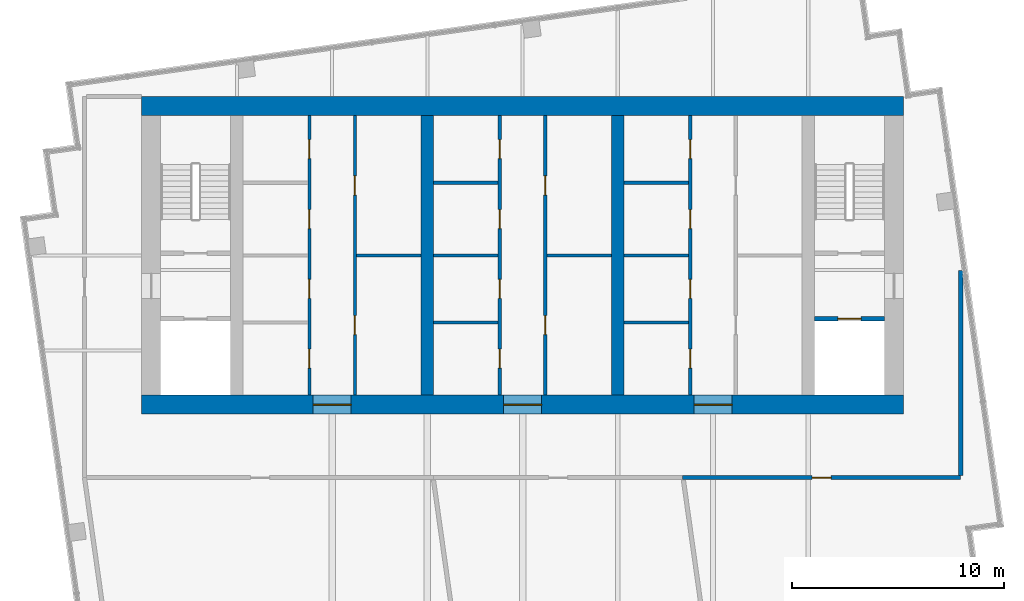
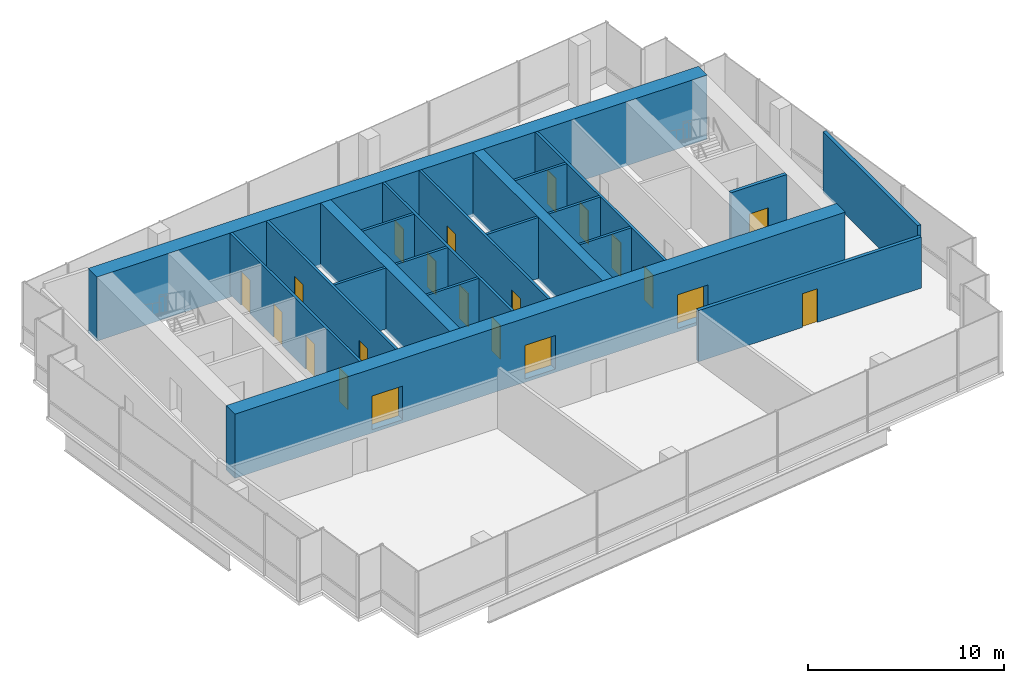
# One storey, part 8 of 10: 21 doors, 20 walls, 21 openings.
"""IFC4 building model written with IfcOpenShell, lengths in metres."""

from ifc_helpers import new_model, si_unit, direction, frame, frame_2d, origin, place, context, subcontext, project, spatial, rectangle, extrude, material, layer, layer_set, type_object, element, fill, save


model = new_model("IFC4")

# Units and contexts
model_context = context("Model", 3, precision=1e-05, world=origin(), true_north=direction((0.0, 1.0)))
body_context = subcontext(model_context, "Body", "Model", "MODEL_VIEW")
ifc_project = project(units=[si_unit("LENGTHUNIT", "METRE"), si_unit("AREAUNIT", "SQUARE_METRE"), si_unit("VOLUMEUNIT", "CUBIC_METRE"), si_unit("PLANEANGLEUNIT", "RADIAN"), si_unit("MASSUNIT", "GRAM", prefix="KILO")], contexts=[model_context])

# Site, building, storey
site_placement = place(None, origin())
site = spatial("IfcSite", under=ifc_project, at=site_placement, CompositionType="ELEMENT")
building_placement = place(site_placement, origin())
building = spatial("IfcBuilding", under=site, at=building_placement, Name="Rattan Terrace Tower", CompositionType="ELEMENT")
storey_placement = place(building_placement, frame((0.0, 0.0, 308.300048828125)))
storey = spatial("IfcBuildingStorey", under=building, at=storey_placement, Name="C05", CompositionType="ELEMENT", Elevation=308.300048828125)

# Wall, openings, doors
ifc_material_1 = material(Name="Gypsum board partition")
ifc_layer_1 = layer(ifc_material_1, 0.14990234375)
ifc_layer_set_1 = layer_set([ifc_layer_1], Name="Core partition 150")
wall_type_1 = type_object("IfcWallType", Name="Core partition 150", PredefinedType="PARTITIONING", material=ifc_layer_set_1)
wall_1_placement = place(storey_placement, frame((-10.074951171875, -6.60009765625, 0.0), z_axis=(0.0, 0.0, 1.0), x_axis=(0.0, 1.0, 0.0)))
wall_1 = element("IfcWall", 1, at=wall_1_placement, inside=storey, type_object=wall_type_1, Name="Core room wall", PredefinedType="PARTITIONING", context=body_context, shape_type="SweptSolid", body=[
    extrude(rectangle(XDim=13.2001953125, YDim=0.14990234375, at=frame_2d((6.60009765625, 0.0))), origin(), (0.0, 0.0, 1.0), 3.800048828125),
])
opening_1_placement = place(wall_1_placement, frame((1.26611328125, 0.0, 0.0)))
opening_1 = element("IfcOpeningElement", 2, at=opening_1_placement, cuts=wall_1, Name="Opening C05-D005", PredefinedType="OPENING", context=body_context, shape_type="SweptSolid", body=[
    extrude(rectangle(XDim=0.89990234375, YDim=2.10009765625, at=frame_2d((0.449951171875, 1.050048828125))), frame((0.0, 0.08544921875, 0.0), z_axis=(0.0, -1.0, 0.0), x_axis=(1.0, 0.0, 0.0)), (0.0, 0.0, 1.0), 0.1708984375),
])
opening_2_placement = place(wall_1_placement, frame((4.56591796875, 0.0, 0.0)))
opening_2 = element("IfcOpeningElement", 3, at=opening_2_placement, cuts=wall_1, Name="Opening C05-D006", PredefinedType="OPENING", context=body_context, shape_type="SweptSolid", body=[
    extrude(rectangle(XDim=0.89990234375, YDim=2.10009765625, at=frame_2d((0.449951171875, 1.050048828125))), frame((0.0, 0.08544921875, 0.0), z_axis=(0.0, -1.0, 0.0), x_axis=(1.0, 0.0, 0.0)), (0.0, 0.0, 1.0), 0.1708984375),
])
opening_3_placement = place(wall_1_placement, frame((7.865966796875, 0.0, 0.0)))
opening_3 = element("IfcOpeningElement", 4, at=opening_3_placement, cuts=wall_1, Name="Opening C05-D007", PredefinedType="OPENING", context=body_context, shape_type="SweptSolid", body=[
    extrude(rectangle(XDim=0.89990234375, YDim=2.10009765625, at=frame_2d((0.449951171875, 1.050048828125))), frame((0.0, 0.08544921875, 0.0), z_axis=(0.0, -1.0, 0.0), x_axis=(1.0, 0.0, 0.0)), (0.0, 0.0, 1.0), 0.1708984375),
])
opening_4_placement = place(wall_1_placement, frame((11.166015625, 0.0, 0.0)))
opening_4 = element("IfcOpeningElement", 5, at=opening_4_placement, cuts=wall_1, Name="Opening C05-D008", PredefinedType="OPENING", context=body_context, shape_type="SweptSolid", body=[
    extrude(rectangle(XDim=0.89990234375, YDim=2.10009765625, at=frame_2d((0.449951171875, 1.050048828125))), frame((0.0, 0.08544921875, 0.0), z_axis=(0.0, -1.0, 0.0), x_axis=(1.0, 0.0, 0.0)), (0.0, 0.0, 1.0), 0.1708984375),
])
ifc_material_2 = material(Name="Hollow-metal fire door leaf")
door_type_1 = type_object("IfcDoorType", Name="Core service room door 900", OperationType="NOTDEFINED", PredefinedType="DOOR", material=ifc_material_2)
door_1_placement = place(opening_1_placement, origin())
door_1 = element("IfcDoor", 6, at=door_1_placement, inside=storey, type_object=door_type_1, Name="Door C05-D005", OperationType="SINGLE_SWING_RIGHT", OverallHeight=2.10009765625, OverallWidth=0.89990234375, PredefinedType="DOOR", context=body_context, shape_type="SweptSolid", body=[
    extrude(rectangle(XDim=0.89990234375, YDim=2.10009765625, at=frame_2d((0.449951171875, 1.050048828125))), frame((0.0, 0.02490234375, 0.0), z_axis=(0.0, -1.0, 0.0), x_axis=(1.0, 0.0, 0.0)), (0.0, 0.0, 1.0), 0.050048828125),
])
fill(opening_1, door_1)
door_2_placement = place(opening_2_placement, origin())
door_2 = element("IfcDoor", 7, at=door_2_placement, inside=storey, type_object=door_type_1, Name="Door C05-D006", OperationType="SINGLE_SWING_LEFT", OverallHeight=2.10009765625, OverallWidth=0.89990234375, PredefinedType="DOOR", context=body_context, shape_type="SweptSolid", body=[
    extrude(rectangle(XDim=0.89990234375, YDim=2.10009765625, at=frame_2d((0.449951171875, 1.050048828125))), frame((0.0, 0.02490234375, 0.0), z_axis=(0.0, -1.0, 0.0), x_axis=(1.0, 0.0, 0.0)), (0.0, 0.0, 1.0), 0.050048828125),
])
fill(opening_2, door_2)
door_3_placement = place(opening_3_placement, origin())
door_3 = element("IfcDoor", 8, at=door_3_placement, inside=storey, type_object=door_type_1, Name="Door C05-D007", OperationType="SINGLE_SWING_RIGHT", OverallHeight=2.10009765625, OverallWidth=0.89990234375, PredefinedType="DOOR", context=body_context, shape_type="SweptSolid", body=[
    extrude(rectangle(XDim=0.89990234375, YDim=2.10009765625, at=frame_2d((0.449951171875, 1.050048828125))), frame((0.0, 0.02490234375, 0.0), z_axis=(0.0, -1.0, 0.0), x_axis=(1.0, 0.0, 0.0)), (0.0, 0.0, 1.0), 0.050048828125),
])
fill(opening_3, door_3)
door_4_placement = place(opening_4_placement, origin())
door_4 = element("IfcDoor", 9, at=door_4_placement, inside=storey, type_object=door_type_1, Name="Door C05-D008", OperationType="SINGLE_SWING_LEFT", OverallHeight=2.10009765625, OverallWidth=0.89990234375, PredefinedType="DOOR", context=body_context, shape_type="SweptSolid", body=[
    extrude(rectangle(XDim=0.89990234375, YDim=2.10009765625, at=frame_2d((0.449951171875, 1.050048828125))), frame((0.0, 0.02490234375, 0.0), z_axis=(0.0, -1.0, 0.0), x_axis=(1.0, 0.0, 0.0)), (0.0, 0.0, 1.0), 0.050048828125),
])
fill(opening_4, door_4)

wall_2_placement = place(storey_placement, frame((-7.925048828125, -6.60009765625, 0.0), z_axis=(0.0, 0.0, 1.0), x_axis=(0.0, 1.0, 0.0)))
wall_2 = element("IfcWall", 10, at=wall_2_placement, inside=storey, type_object=wall_type_1, Name="Core room wall", PredefinedType="PARTITIONING", context=body_context, shape_type="SweptSolid", body=[
    extrude(rectangle(XDim=13.2001953125, YDim=0.14990234375, at=frame_2d((6.60009765625, 0.0))), origin(), (0.0, 0.0, 1.0), 3.800048828125),
])
opening_5_placement = place(wall_2_placement, frame((2.85009765625, 0.0, 0.0)))
opening_5 = element("IfcOpeningElement", 11, at=opening_5_placement, cuts=wall_2, Name="Opening C05-D009", PredefinedType="OPENING", context=body_context, shape_type="SweptSolid", body=[
    extrude(rectangle(XDim=0.89990234375, YDim=2.10009765625, at=frame_2d((0.449951171875, 1.050048828125))), frame((0.0, 0.08544921875, 0.0), z_axis=(0.0, -1.0, 0.0), x_axis=(1.0, 0.0, 0.0)), (0.0, 0.0, 1.0), 0.1708984375),
])
opening_6_placement = place(wall_2_placement, frame((9.449951171875, 0.0, 0.0)))
opening_6 = element("IfcOpeningElement", 12, at=opening_6_placement, cuts=wall_2, Name="Opening C05-D010", PredefinedType="OPENING", context=body_context, shape_type="SweptSolid", body=[
    extrude(rectangle(XDim=0.89990234375, YDim=2.10009765625, at=frame_2d((0.449951171875, 1.050048828125))), frame((0.0, 0.08544921875, 0.0), z_axis=(0.0, -1.0, 0.0), x_axis=(1.0, 0.0, 0.0)), (0.0, 0.0, 1.0), 0.1708984375),
])
door_5_placement = place(opening_5_placement, origin())
door_5 = element("IfcDoor", 13, at=door_5_placement, inside=storey, type_object=door_type_1, Name="Door C05-D009", OperationType="SINGLE_SWING_RIGHT", OverallHeight=2.10009765625, OverallWidth=0.89990234375, PredefinedType="DOOR", context=body_context, shape_type="SweptSolid", body=[
    extrude(rectangle(XDim=0.89990234375, YDim=2.10009765625, at=frame_2d((0.449951171875, 1.050048828125))), frame((0.0, 0.02490234375, 0.0), z_axis=(0.0, -1.0, 0.0), x_axis=(1.0, 0.0, 0.0)), (0.0, 0.0, 1.0), 0.050048828125),
])
fill(opening_5, door_5)
door_6_placement = place(opening_6_placement, origin())
door_6 = element("IfcDoor", 14, at=door_6_placement, inside=storey, type_object=door_type_1, Name="Door C05-D010", OperationType="SINGLE_SWING_LEFT", OverallHeight=2.10009765625, OverallWidth=0.89990234375, PredefinedType="DOOR", context=body_context, shape_type="SweptSolid", body=[
    extrude(rectangle(XDim=0.89990234375, YDim=2.10009765625, at=frame_2d((0.449951171875, 1.050048828125))), frame((0.0, 0.02490234375, 0.0), z_axis=(0.0, -1.0, 0.0), x_axis=(1.0, 0.0, 0.0)), (0.0, 0.0, 1.0), 0.050048828125),
])
fill(opening_6, door_6)

# Wall
wall_3_placement = place(storey_placement, frame((-7.85009765625, 0.0, 0.0), z_axis=(0.0, 0.0, 1.0), x_axis=(1.0, 0.0, 0.0)))
element("IfcWall", 15, at=wall_3_placement, inside=storey, type_object=wall_type_1, Name="Core room wall", PredefinedType="PARTITIONING", context=body_context, shape_type="SweptSolid", body=[
    extrude(rectangle(XDim=3.050048828125, YDim=0.14990234375, at=frame_2d((1.52490234375, 0.0))), origin(), (0.0, 0.0, 1.0), 3.800048828125),
])

# Wall, openings, doors
wall_4_placement = place(storey_placement, frame((-1.074951171875, -6.60009765625, 0.0), z_axis=(0.0, 0.0, 1.0), x_axis=(0.0, 1.0, 0.0)))
wall_4 = element("IfcWall", 16, at=wall_4_placement, inside=storey, type_object=wall_type_1, Name="Core room wall", PredefinedType="PARTITIONING", context=body_context, shape_type="SweptSolid", body=[
    extrude(rectangle(XDim=13.2001953125, YDim=0.14990234375, at=frame_2d((6.60009765625, 0.0))), origin(), (0.0, 0.0, 1.0), 3.800048828125),
])
opening_7_placement = place(wall_4_placement, frame((1.26611328125, 0.0, 0.0)))
opening_7 = element("IfcOpeningElement", 17, at=opening_7_placement, cuts=wall_4, Name="Opening C05-D012", PredefinedType="OPENING", context=body_context, shape_type="SweptSolid", body=[
    extrude(rectangle(XDim=0.89990234375, YDim=2.10009765625, at=frame_2d((0.449951171875, 1.050048828125))), frame((0.0, 0.08544921875, 0.0), z_axis=(0.0, -1.0, 0.0), x_axis=(1.0, 0.0, 0.0)), (0.0, 0.0, 1.0), 0.1708984375),
])
opening_8_placement = place(wall_4_placement, frame((4.56591796875, 0.0, 0.0)))
opening_8 = element("IfcOpeningElement", 18, at=opening_8_placement, cuts=wall_4, Name="Opening C05-D013", PredefinedType="OPENING", context=body_context, shape_type="SweptSolid", body=[
    extrude(rectangle(XDim=0.89990234375, YDim=2.10009765625, at=frame_2d((0.449951171875, 1.050048828125))), frame((0.0, 0.08544921875, 0.0), z_axis=(0.0, -1.0, 0.0), x_axis=(1.0, 0.0, 0.0)), (0.0, 0.0, 1.0), 0.1708984375),
])
opening_9_placement = place(wall_4_placement, frame((7.865966796875, 0.0, 0.0)))
opening_9 = element("IfcOpeningElement", 19, at=opening_9_placement, cuts=wall_4, Name="Opening C05-D014", PredefinedType="OPENING", context=body_context, shape_type="SweptSolid", body=[
    extrude(rectangle(XDim=0.89990234375, YDim=2.10009765625, at=frame_2d((0.449951171875, 1.050048828125))), frame((0.0, 0.08544921875, 0.0), z_axis=(0.0, -1.0, 0.0), x_axis=(1.0, 0.0, 0.0)), (0.0, 0.0, 1.0), 0.1708984375),
])
opening_10_placement = place(wall_4_placement, frame((11.166015625, 0.0, 0.0)))
opening_10 = element("IfcOpeningElement", 20, at=opening_10_placement, cuts=wall_4, Name="Opening C05-D015", PredefinedType="OPENING", context=body_context, shape_type="SweptSolid", body=[
    extrude(rectangle(XDim=0.89990234375, YDim=2.10009765625, at=frame_2d((0.449951171875, 1.050048828125))), frame((0.0, 0.08544921875, 0.0), z_axis=(0.0, -1.0, 0.0), x_axis=(1.0, 0.0, 0.0)), (0.0, 0.0, 1.0), 0.1708984375),
])
door_7_placement = place(opening_7_placement, origin())
door_7 = element("IfcDoor", 21, at=door_7_placement, inside=storey, type_object=door_type_1, Name="Door C05-D012", OperationType="SINGLE_SWING_LEFT", OverallHeight=2.10009765625, OverallWidth=0.89990234375, PredefinedType="DOOR", context=body_context, shape_type="SweptSolid", body=[
    extrude(rectangle(XDim=0.89990234375, YDim=2.10009765625, at=frame_2d((0.449951171875, 1.050048828125))), frame((0.0, 0.02490234375, 0.0), z_axis=(0.0, -1.0, 0.0), x_axis=(1.0, 0.0, 0.0)), (0.0, 0.0, 1.0), 0.050048828125),
])
fill(opening_7, door_7)
door_8_placement = place(opening_8_placement, origin())
door_8 = element("IfcDoor", 22, at=door_8_placement, inside=storey, type_object=door_type_1, Name="Door C05-D013", OperationType="SINGLE_SWING_RIGHT", OverallHeight=2.10009765625, OverallWidth=0.89990234375, PredefinedType="DOOR", context=body_context, shape_type="SweptSolid", body=[
    extrude(rectangle(XDim=0.89990234375, YDim=2.10009765625, at=frame_2d((0.449951171875, 1.050048828125))), frame((0.0, 0.02490234375, 0.0), z_axis=(0.0, -1.0, 0.0), x_axis=(1.0, 0.0, 0.0)), (0.0, 0.0, 1.0), 0.050048828125),
])
fill(opening_8, door_8)
door_9_placement = place(opening_9_placement, origin())
door_9 = element("IfcDoor", 23, at=door_9_placement, inside=storey, type_object=door_type_1, Name="Door C05-D014", OperationType="SINGLE_SWING_LEFT", OverallHeight=2.10009765625, OverallWidth=0.89990234375, PredefinedType="DOOR", context=body_context, shape_type="SweptSolid", body=[
    extrude(rectangle(XDim=0.89990234375, YDim=2.10009765625, at=frame_2d((0.449951171875, 1.050048828125))), frame((0.0, 0.02490234375, 0.0), z_axis=(0.0, -1.0, 0.0), x_axis=(1.0, 0.0, 0.0)), (0.0, 0.0, 1.0), 0.050048828125),
])
fill(opening_9, door_9)
door_10_placement = place(opening_10_placement, origin())
door_10 = element("IfcDoor", 24, at=door_10_placement, inside=storey, type_object=door_type_1, Name="Door C05-D015", OperationType="SINGLE_SWING_RIGHT", OverallHeight=2.10009765625, OverallWidth=0.89990234375, PredefinedType="DOOR", context=body_context, shape_type="SweptSolid", body=[
    extrude(rectangle(XDim=0.89990234375, YDim=2.10009765625, at=frame_2d((0.449951171875, 1.050048828125))), frame((0.0, 0.02490234375, 0.0), z_axis=(0.0, -1.0, 0.0), x_axis=(1.0, 0.0, 0.0)), (0.0, 0.0, 1.0), 0.050048828125),
])
fill(opening_10, door_10)

# Walls
for number, where, z_axis, x_axis, name in (
    (25, (-4.199951171875, -3.16796875, 0.0), (0.0, 0.0, 1.0), (1.0, 0.0, 0.0), "Core room wall"),
    (26, (-4.199951171875, 0.0, 0.0), (0.0, 0.0, 1.0), (1.0, 0.0, 0.0), "Core room wall"),
    (27, (-4.199951171875, 3.431884765625, 0.0), (0.0, 0.0, 1.0), (1.0, 0.0, 0.0), "Core room wall"),
):
    element("IfcWall", number, at=place(storey_placement, frame(where, z_axis=z_axis, x_axis=x_axis)), inside=storey, type_object=wall_type_1, Name=name, PredefinedType="PARTITIONING", context=body_context, shape_type="SweptSolid", body=[
        extrude(rectangle(XDim=3.050048828125, YDim=0.14990234375, at=frame_2d((1.52490234375, 0.0))), origin(), (0.0, 0.0, 1.0), 3.800048828125),
    ])

# Wall, openings, doors
wall_5_placement = place(storey_placement, frame((1.074951171875, -6.60009765625, 0.0), z_axis=(0.0, 0.0, 1.0), x_axis=(0.0, 1.0, 0.0)))
wall_5 = element("IfcWall", 28, at=wall_5_placement, inside=storey, type_object=wall_type_1, Name="Core room wall", PredefinedType="PARTITIONING", context=body_context, shape_type="SweptSolid", body=[
    extrude(rectangle(XDim=13.2001953125, YDim=0.14990234375, at=frame_2d((6.60009765625, 0.0))), origin(), (0.0, 0.0, 1.0), 3.800048828125),
])
opening_11_placement = place(wall_5_placement, frame((2.85009765625, 0.0, 0.0)))
opening_11 = element("IfcOpeningElement", 29, at=opening_11_placement, cuts=wall_5, Name="Opening C05-D016", PredefinedType="OPENING", context=body_context, shape_type="SweptSolid", body=[
    extrude(rectangle(XDim=0.89990234375, YDim=2.10009765625, at=frame_2d((0.449951171875, 1.050048828125))), frame((0.0, 0.08544921875, 0.0), z_axis=(0.0, -1.0, 0.0), x_axis=(1.0, 0.0, 0.0)), (0.0, 0.0, 1.0), 0.1708984375),
])
opening_12_placement = place(wall_5_placement, frame((9.449951171875, 0.0, 0.0)))
opening_12 = element("IfcOpeningElement", 30, at=opening_12_placement, cuts=wall_5, Name="Opening C05-D017", PredefinedType="OPENING", context=body_context, shape_type="SweptSolid", body=[
    extrude(rectangle(XDim=0.89990234375, YDim=2.10009765625, at=frame_2d((0.449951171875, 1.050048828125))), frame((0.0, 0.08544921875, 0.0), z_axis=(0.0, -1.0, 0.0), x_axis=(1.0, 0.0, 0.0)), (0.0, 0.0, 1.0), 0.1708984375),
])
door_11_placement = place(opening_11_placement, origin())
door_11 = element("IfcDoor", 31, at=door_11_placement, inside=storey, type_object=door_type_1, Name="Door C05-D016", OperationType="SINGLE_SWING_LEFT", OverallHeight=2.10009765625, OverallWidth=0.89990234375, PredefinedType="DOOR", context=body_context, shape_type="SweptSolid", body=[
    extrude(rectangle(XDim=0.89990234375, YDim=2.10009765625, at=frame_2d((0.449951171875, 1.050048828125))), frame((0.0, 0.02490234375, 0.0), z_axis=(0.0, -1.0, 0.0), x_axis=(1.0, 0.0, 0.0)), (0.0, 0.0, 1.0), 0.050048828125),
])
fill(opening_11, door_11)
door_12_placement = place(opening_12_placement, origin())
door_12 = element("IfcDoor", 32, at=door_12_placement, inside=storey, type_object=door_type_1, Name="Door C05-D017", OperationType="SINGLE_SWING_RIGHT", OverallHeight=2.10009765625, OverallWidth=0.89990234375, PredefinedType="DOOR", context=body_context, shape_type="SweptSolid", body=[
    extrude(rectangle(XDim=0.89990234375, YDim=2.10009765625, at=frame_2d((0.449951171875, 1.050048828125))), frame((0.0, 0.02490234375, 0.0), z_axis=(0.0, -1.0, 0.0), x_axis=(1.0, 0.0, 0.0)), (0.0, 0.0, 1.0), 0.050048828125),
])
fill(opening_12, door_12)

# Wall
wall_6_placement = place(storey_placement, frame((1.14990234375, 0.0, 0.0), z_axis=(0.0, 0.0, 1.0), x_axis=(1.0, 0.0, 0.0)))
element("IfcWall", 33, at=wall_6_placement, inside=storey, type_object=wall_type_1, Name="Core room wall", PredefinedType="PARTITIONING", context=body_context, shape_type="SweptSolid", body=[
    extrude(rectangle(XDim=3.050048828125, YDim=0.14990234375, at=frame_2d((1.52490234375, 0.0))), origin(), (0.0, 0.0, 1.0), 3.800048828125),
])

# Wall, openings, doors
wall_7_placement = place(storey_placement, frame((7.925048828125, -6.60009765625, 0.0), z_axis=(0.0, 0.0, 1.0), x_axis=(0.0, 1.0, 0.0)))
wall_7 = element("IfcWall", 34, at=wall_7_placement, inside=storey, type_object=wall_type_1, Name="Core room wall", PredefinedType="PARTITIONING", context=body_context, shape_type="SweptSolid", body=[
    extrude(rectangle(XDim=13.2001953125, YDim=0.14990234375, at=frame_2d((6.60009765625, 0.0))), origin(), (0.0, 0.0, 1.0), 3.800048828125),
])
opening_13_placement = place(wall_7_placement, frame((1.26611328125, 0.0, 0.0)))
opening_13 = element("IfcOpeningElement", 35, at=opening_13_placement, cuts=wall_7, Name="Opening C05-D019", PredefinedType="OPENING", context=body_context, shape_type="SweptSolid", body=[
    extrude(rectangle(XDim=0.89990234375, YDim=2.10009765625, at=frame_2d((0.449951171875, 1.050048828125))), frame((0.0, 0.08544921875, 0.0), z_axis=(0.0, -1.0, 0.0), x_axis=(1.0, 0.0, 0.0)), (0.0, 0.0, 1.0), 0.1708984375),
])
opening_14_placement = place(wall_7_placement, frame((4.56591796875, 0.0, 0.0)))
opening_14 = element("IfcOpeningElement", 36, at=opening_14_placement, cuts=wall_7, Name="Opening C05-D020", PredefinedType="OPENING", context=body_context, shape_type="SweptSolid", body=[
    extrude(rectangle(XDim=0.89990234375, YDim=2.10009765625, at=frame_2d((0.449951171875, 1.050048828125))), frame((0.0, 0.08544921875, 0.0), z_axis=(0.0, -1.0, 0.0), x_axis=(1.0, 0.0, 0.0)), (0.0, 0.0, 1.0), 0.1708984375),
])
opening_15_placement = place(wall_7_placement, frame((7.865966796875, 0.0, 0.0)))
opening_15 = element("IfcOpeningElement", 37, at=opening_15_placement, cuts=wall_7, Name="Opening C05-D021", PredefinedType="OPENING", context=body_context, shape_type="SweptSolid", body=[
    extrude(rectangle(XDim=0.89990234375, YDim=2.10009765625, at=frame_2d((0.449951171875, 1.050048828125))), frame((0.0, 0.08544921875, 0.0), z_axis=(0.0, -1.0, 0.0), x_axis=(1.0, 0.0, 0.0)), (0.0, 0.0, 1.0), 0.1708984375),
])
opening_16_placement = place(wall_7_placement, frame((11.166015625, 0.0, 0.0)))
opening_16 = element("IfcOpeningElement", 38, at=opening_16_placement, cuts=wall_7, Name="Opening C05-D022", PredefinedType="OPENING", context=body_context, shape_type="SweptSolid", body=[
    extrude(rectangle(XDim=0.89990234375, YDim=2.10009765625, at=frame_2d((0.449951171875, 1.050048828125))), frame((0.0, 0.08544921875, 0.0), z_axis=(0.0, -1.0, 0.0), x_axis=(1.0, 0.0, 0.0)), (0.0, 0.0, 1.0), 0.1708984375),
])
door_13_placement = place(opening_13_placement, origin())
door_13 = element("IfcDoor", 39, at=door_13_placement, inside=storey, type_object=door_type_1, Name="Door C05-D019", OperationType="SINGLE_SWING_RIGHT", OverallHeight=2.10009765625, OverallWidth=0.89990234375, PredefinedType="DOOR", context=body_context, shape_type="SweptSolid", body=[
    extrude(rectangle(XDim=0.89990234375, YDim=2.10009765625, at=frame_2d((0.449951171875, 1.050048828125))), frame((0.0, 0.02490234375, 0.0), z_axis=(0.0, -1.0, 0.0), x_axis=(1.0, 0.0, 0.0)), (0.0, 0.0, 1.0), 0.050048828125),
])
fill(opening_13, door_13)
door_14_placement = place(opening_14_placement, origin())
door_14 = element("IfcDoor", 40, at=door_14_placement, inside=storey, type_object=door_type_1, Name="Door C05-D020", OperationType="SINGLE_SWING_LEFT", OverallHeight=2.10009765625, OverallWidth=0.89990234375, PredefinedType="DOOR", context=body_context, shape_type="SweptSolid", body=[
    extrude(rectangle(XDim=0.89990234375, YDim=2.10009765625, at=frame_2d((0.449951171875, 1.050048828125))), frame((0.0, 0.02490234375, 0.0), z_axis=(0.0, -1.0, 0.0), x_axis=(1.0, 0.0, 0.0)), (0.0, 0.0, 1.0), 0.050048828125),
])
fill(opening_14, door_14)
door_15_placement = place(opening_15_placement, origin())
door_15 = element("IfcDoor", 41, at=door_15_placement, inside=storey, type_object=door_type_1, Name="Door C05-D021", OperationType="SINGLE_SWING_RIGHT", OverallHeight=2.10009765625, OverallWidth=0.89990234375, PredefinedType="DOOR", context=body_context, shape_type="SweptSolid", body=[
    extrude(rectangle(XDim=0.89990234375, YDim=2.10009765625, at=frame_2d((0.449951171875, 1.050048828125))), frame((0.0, 0.02490234375, 0.0), z_axis=(0.0, -1.0, 0.0), x_axis=(1.0, 0.0, 0.0)), (0.0, 0.0, 1.0), 0.050048828125),
])
fill(opening_15, door_15)
door_16_placement = place(opening_16_placement, origin())
door_16 = element("IfcDoor", 42, at=door_16_placement, inside=storey, type_object=door_type_1, Name="Door C05-D022", OperationType="SINGLE_SWING_LEFT", OverallHeight=2.10009765625, OverallWidth=0.89990234375, PredefinedType="DOOR", context=body_context, shape_type="SweptSolid", body=[
    extrude(rectangle(XDim=0.89990234375, YDim=2.10009765625, at=frame_2d((0.449951171875, 1.050048828125))), frame((0.0, 0.02490234375, 0.0), z_axis=(0.0, -1.0, 0.0), x_axis=(1.0, 0.0, 0.0)), (0.0, 0.0, 1.0), 0.050048828125),
])
fill(opening_16, door_16)

# Walls
for number, where, z_axis, x_axis, name in (
    (43, (4.800048828125, -3.16796875, 0.0), (0.0, 0.0, 1.0), (1.0, 0.0, 0.0), "Core room wall"),
    (44, (4.800048828125, 0.0, 0.0), (0.0, 0.0, 1.0), (1.0, 0.0, 0.0), "Core room wall"),
    (45, (4.800048828125, 3.431884765625, 0.0), (0.0, 0.0, 1.0), (1.0, 0.0, 0.0), "Core room wall"),
):
    element("IfcWall", number, at=place(storey_placement, frame(where, z_axis=z_axis, x_axis=x_axis)), inside=storey, type_object=wall_type_1, Name=name, PredefinedType="PARTITIONING", context=body_context, shape_type="SweptSolid", body=[
        extrude(rectangle(XDim=3.050048828125, YDim=0.14990234375, at=frame_2d((1.52490234375, 0.0))), origin(), (0.0, 0.0, 1.0), 3.800048828125),
    ])

# Wall, opening, door
ifc_material_3 = material(Name="Gypsum board partition")
ifc_layer_2 = layer(ifc_material_3, 0.199951171875)
ifc_layer_set_2 = layer_set([ifc_layer_2], Name="Core partition 200")
wall_type_2 = type_object("IfcWallType", Name="Core partition 200", PredefinedType="PARTITIONING", material=ifc_layer_set_2)
wall_8_placement = place(storey_placement, frame((13.800048828125, -3.0, 0.0), z_axis=(0.0, 0.0, 1.0), x_axis=(1.0, 0.0, 0.0)))
wall_8 = element("IfcWall", 46, at=wall_8_placement, inside=storey, type_object=wall_type_2, Name="Fire-fighting lobby wall", PredefinedType="PARTITIONING", context=body_context, shape_type="SweptSolid", body=[
    extrude(rectangle(XDim=3.300048828125, YDim=0.199951171875, at=frame_2d((1.64990234375, 0.0))), origin(), (0.0, 0.0, 1.0), 3.800048828125),
])
opening_17_placement = place(wall_8_placement, frame((1.10009765625, 0.0, 0.0)))
opening_17 = element("IfcOpeningElement", 47, at=opening_17_placement, cuts=wall_8, Name="Opening C05-LD-FF2", PredefinedType="OPENING", context=body_context, shape_type="SweptSolid", body=[
    extrude(rectangle(XDim=1.10009765625, YDim=2.10009765625, at=frame_2d((0.550048828125, 1.050048828125))), frame((0.0, 0.110595703125, 0.0), z_axis=(0.0, -1.0, 0.0), x_axis=(1.0, 0.0, 0.0)), (0.0, 0.0, 1.0), 0.220947265625),
])
ifc_material_4 = material(Name="Brushed stainless landing door panel")
door_type_2 = type_object("IfcDoorType", Name="Core lift landing door 1100", OperationType="DOUBLE_DOOR_SLIDING", PredefinedType="DOOR", material=ifc_material_4)
door_17_placement = place(opening_17_placement, origin())
door_17 = element("IfcDoor", 48, at=door_17_placement, inside=storey, type_object=door_type_2, Name="Door C05-LD-FF2", OperationType="DOUBLE_DOOR_SLIDING", OverallHeight=2.10009765625, OverallWidth=1.10009765625, PredefinedType="DOOR", context=body_context, shape_type="SweptSolid", body=[
    extrude(rectangle(XDim=1.10009765625, YDim=2.10009765625, at=frame_2d((0.550048828125, 1.050048828125))), frame((0.0, 0.02490234375, 0.0), z_axis=(0.0, -1.0, 0.0), x_axis=(1.0, 0.0, 0.0)), (0.0, 0.0, 1.0), 0.050048828125),
])
fill(opening_17, door_17)

# Wall, openings, doors
ifc_material_5 = material(Name="Concrete C50/60", Category="concrete")
ifc_layer_3 = layer(ifc_material_5, 0.89990234375)
ifc_layer_set_3 = layer_set([ifc_layer_3], Name="Core ring wall 900 C50/60")
wall_type_3 = type_object("IfcWallType", Name="Core ring wall 900 C50/60", PredefinedType="SHEAR", material=ifc_layer_set_3)
wall_9_placement = place(storey_placement, frame((-18.0, -7.050048828125, -0.199951171875), z_axis=(0.0, 0.0, 1.0), x_axis=(1.0, 0.0, 0.0)))
wall_9 = element("IfcWall", 49, at=wall_9_placement, inside=storey, type_object=wall_type_3, Name="Rear core wall south", PredefinedType="SHEAR", context=body_context, shape_type="SweptSolid", body=[
    extrude(rectangle(XDim=36.0, YDim=0.89990234375, at=frame_2d((18.0, 0.0))), origin(), (0.0, 0.0, 1.0), 4.0),
])
opening_18_placement = place(wall_9_placement, frame((8.10009765625, 0.0, 0.199951171875)))
opening_18 = element("IfcOpeningElement", 50, at=opening_18_placement, cuts=wall_9, Name="Opening C05-D011", PredefinedType="OPENING", context=body_context, shape_type="SweptSolid", body=[
    extrude(rectangle(XDim=1.800048828125, YDim=2.10009765625, at=frame_2d((0.89990234375, 1.050048828125))), frame((0.0, 0.46044921875, 0.0), z_axis=(0.0, -1.0, 0.0), x_axis=(1.0, 0.0, 0.0)), (0.0, 0.0, 1.0), 0.9208984375),
])
opening_19_placement = place(wall_9_placement, frame((17.10009765625, 0.0, 0.199951171875)))
opening_19 = element("IfcOpeningElement", 51, at=opening_19_placement, cuts=wall_9, Name="Opening C05-D018", PredefinedType="OPENING", context=body_context, shape_type="SweptSolid", body=[
    extrude(rectangle(XDim=1.800048828125, YDim=2.10009765625, at=frame_2d((0.89990234375, 1.050048828125))), frame((0.0, 0.46044921875, 0.0), z_axis=(0.0, -1.0, 0.0), x_axis=(1.0, 0.0, 0.0)), (0.0, 0.0, 1.0), 0.9208984375),
])
opening_20_placement = place(wall_9_placement, frame((26.10009765625, 0.0, 0.199951171875)))
opening_20 = element("IfcOpeningElement", 52, at=opening_20_placement, cuts=wall_9, Name="Opening C05-D025", PredefinedType="OPENING", context=body_context, shape_type="SweptSolid", body=[
    extrude(rectangle(XDim=1.800048828125, YDim=2.10009765625, at=frame_2d((0.89990234375, 1.050048828125))), frame((0.0, 0.46044921875, 0.0), z_axis=(0.0, -1.0, 0.0), x_axis=(1.0, 0.0, 0.0)), (0.0, 0.0, 1.0), 0.9208984375),
])
ifc_material_6 = material(Name="Hollow-metal fire door leaf")
door_type_3 = type_object("IfcDoorType", Name="Core service room door 1800", OperationType="NOTDEFINED", PredefinedType="DOOR", material=ifc_material_6)
door_18_placement = place(opening_18_placement, origin())
door_18 = element("IfcDoor", 53, at=door_18_placement, inside=storey, type_object=door_type_3, Name="Door C05-D011", OperationType="SINGLE_SWING_RIGHT", OverallHeight=2.10009765625, OverallWidth=1.800048828125, PredefinedType="DOOR", context=body_context, shape_type="SweptSolid", body=[
    extrude(rectangle(XDim=1.800048828125, YDim=2.10009765625, at=frame_2d((0.89990234375, 1.050048828125))), frame((0.0, 0.02490234375, 0.0), z_axis=(0.0, -1.0, 0.0), x_axis=(1.0, 0.0, 0.0)), (0.0, 0.0, 1.0), 0.050048828125),
])
fill(opening_18, door_18)
door_19_placement = place(opening_19_placement, origin())
door_19 = element("IfcDoor", 54, at=door_19_placement, inside=storey, type_object=door_type_3, Name="Door C05-D018", OperationType="SINGLE_SWING_LEFT", OverallHeight=2.10009765625, OverallWidth=1.800048828125, PredefinedType="DOOR", context=body_context, shape_type="SweptSolid", body=[
    extrude(rectangle(XDim=1.800048828125, YDim=2.10009765625, at=frame_2d((0.89990234375, 1.050048828125))), frame((0.0, 0.02490234375, 0.0), z_axis=(0.0, -1.0, 0.0), x_axis=(1.0, 0.0, 0.0)), (0.0, 0.0, 1.0), 0.050048828125),
])
fill(opening_19, door_19)
door_20_placement = place(opening_20_placement, origin())
door_20 = element("IfcDoor", 55, at=door_20_placement, inside=storey, type_object=door_type_3, Name="Door C05-D025", OperationType="SINGLE_SWING_RIGHT", OverallHeight=2.10009765625, OverallWidth=1.800048828125, PredefinedType="DOOR", context=body_context, shape_type="SweptSolid", body=[
    extrude(rectangle(XDim=1.800048828125, YDim=2.10009765625, at=frame_2d((0.89990234375, 1.050048828125))), frame((0.0, 0.02490234375, 0.0), z_axis=(0.0, -1.0, 0.0), x_axis=(1.0, 0.0, 0.0)), (0.0, 0.0, 1.0), 0.050048828125),
])
fill(opening_20, door_20)

# Walls
wall_10_placement = place(storey_placement, frame((-18.0, 7.050048828125, -0.199951171875), z_axis=(0.0, 0.0, 1.0), x_axis=(1.0, 0.0, 0.0)))
element("IfcWall", 56, at=wall_10_placement, inside=storey, type_object=wall_type_3, Name="Rear core wall north", PredefinedType="SHEAR", context=body_context, shape_type="SweptSolid", body=[
    extrude(rectangle(XDim=36.0, YDim=0.89990234375, at=frame_2d((18.0, 0.0))), origin(), (0.0, 0.0, 1.0), 4.0),
])
ifc_material_7 = material(Name="Concrete C50/60", Category="concrete")
ifc_layer_4 = layer(ifc_material_7, 0.60009765625)
ifc_layer_set_4 = layer_set([ifc_layer_4], Name="Core spine wall 600 C50/60")
wall_type_4 = type_object("IfcWallType", Name="Core spine wall 600 C50/60", PredefinedType="SHEAR", material=ifc_layer_set_4)
for number, where, z_axis, x_axis, name in (
    (57, (-4.5, -6.60009765625, -0.199951171875), (0.0, 0.0, 1.0), (0.0, 1.0, 0.0), "Core spine wall 2"),
    (58, (4.5, -6.60009765625, -0.199951171875), (0.0, 0.0, 1.0), (0.0, 1.0, 0.0), "Core spine wall 3"),
):
    element("IfcWall", number, at=place(storey_placement, frame(where, z_axis=z_axis, x_axis=x_axis)), inside=storey, type_object=wall_type_4, Name=name, PredefinedType="SHEAR", context=body_context, shape_type="SweptSolid", body=[
        extrude(rectangle(XDim=13.2001953125, YDim=0.60009765625, at=frame_2d((6.60009765625, 0.0))), origin(), (0.0, 0.0, 1.0), 4.0),
    ])
ifc_material_8 = material(Name="Concrete block wall, plastered", Category="concrete")
ifc_layer_5 = layer(ifc_material_8, 0.199951171875)
ifc_layer_set_5 = layer_set([ifc_layer_5], Name="Floors Plant Wall 200")
wall_type_5 = type_object("IfcWallType", Name="Floors Plant Wall 200", PredefinedType="PARTITIONING", material=ifc_layer_set_5)
wall_11_placement = place(storey_placement, frame((20.698974609375, -0.715087890625, 0.0), z_axis=(0.0, 0.0, 1.0), x_axis=(0.0, -1.0, 0.0)))
element("IfcWall", 59, at=wall_11_placement, inside=storey, type_object=wall_type_5, Name="pt-C05-003", PredefinedType="PARTITIONING", context=body_context, shape_type="SweptSolid", body=[
    extrude(rectangle(XDim=9.684814453125, YDim=0.199951171875, at=frame_2d((4.84228515625, 0.0))), origin(), (0.0, 0.0, 1.0), 3.800048828125),
])

# Wall, opening, door
wall_12_placement = place(storey_placement, frame((20.699951171875, -10.5, 0.0), z_axis=(0.0, 0.0, 1.0), x_axis=(-1.0, 0.0, 0.0)))
wall_12 = element("IfcWall", 60, at=wall_12_placement, inside=storey, type_object=wall_type_5, Name="pt-C05-004", PredefinedType="PARTITIONING", context=body_context, shape_type="SweptSolid", body=[
    extrude(rectangle(XDim=13.136962890625, YDim=0.199951171875, at=frame_2d((6.568359375, 0.0))), origin(), (0.0, 0.0, 1.0), 3.18994140625),
])
opening_21_placement = place(wall_12_placement, frame((6.118896484375, 0.0, 0.0)))
opening_21 = element("IfcOpeningElement", 61, at=opening_21_placement, cuts=wall_12, Name="Opening C05-D102", PredefinedType="OPENING", context=body_context, shape_type="SweptSolid", body=[
    extrude(rectangle(XDim=0.89990234375, YDim=2.10009765625, at=frame_2d((0.449951171875, 1.050048828125))), frame((0.0, 0.110595703125, 0.0), z_axis=(0.0, -1.0, 0.0), x_axis=(1.0, 0.0, 0.0)), (0.0, 0.0, 1.0), 0.220947265625),
])
ifc_material_9 = material(Name="Steel fire door set", Category="steel")
door_type_4 = type_object("IfcDoorType", Name="Floors Fire Door FD60 900x2100", OperationType="NOTDEFINED", PredefinedType="DOOR", material=ifc_material_9)
door_21_placement = place(opening_21_placement, origin())
door_21 = element("IfcDoor", 62, at=door_21_placement, inside=storey, type_object=door_type_4, Name="d-C05-102", OperationType="SINGLE_SWING_LEFT", OverallHeight=2.10009765625, OverallWidth=0.89990234375, PredefinedType="DOOR", context=body_context, shape_type="SweptSolid", body=[
    extrude(rectangle(XDim=0.89990234375, YDim=2.10009765625, at=frame_2d((0.449951171875, 1.050048828125))), frame((0.0, 0.02490234375, 0.0), z_axis=(0.0, -1.0, 0.0), x_axis=(1.0, 0.0, 0.0)), (0.0, 0.0, 1.0), 0.050048828125),
])
fill(opening_21, door_21)

save(model, "model.ifc")
